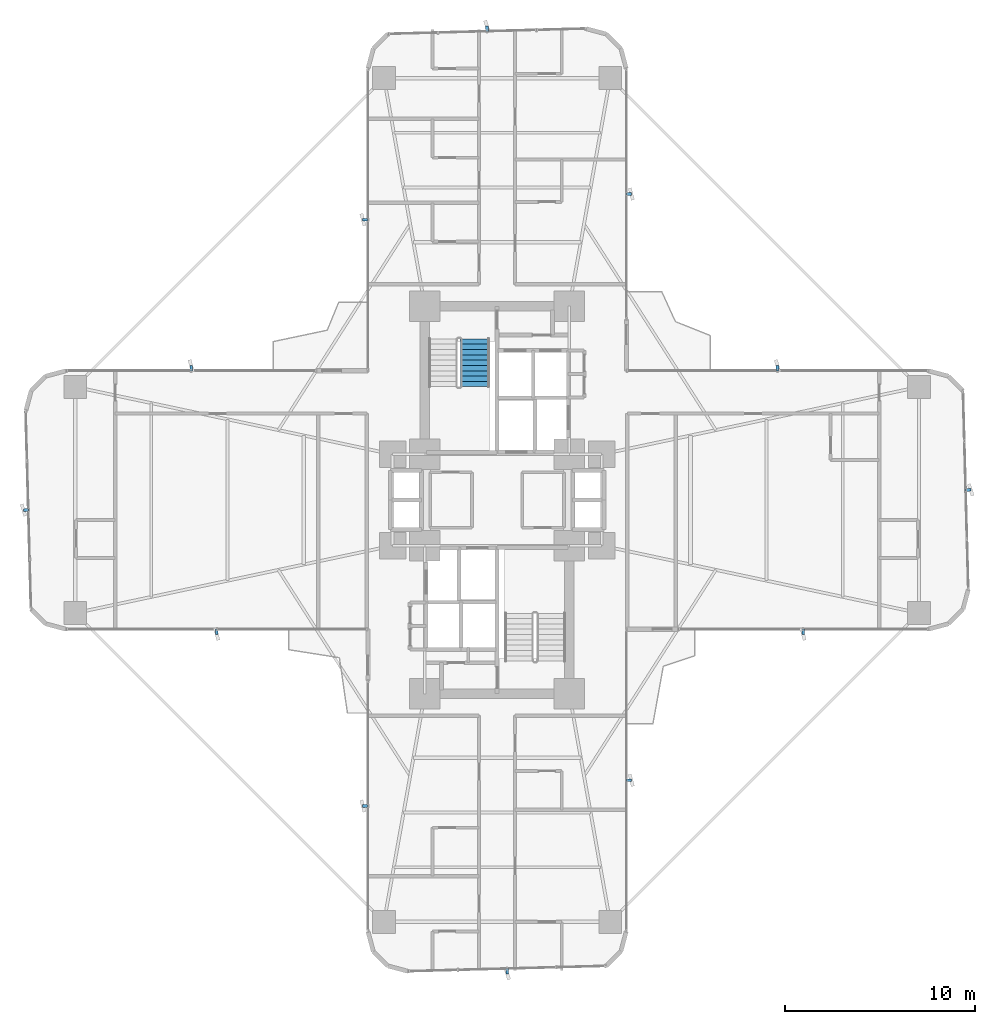
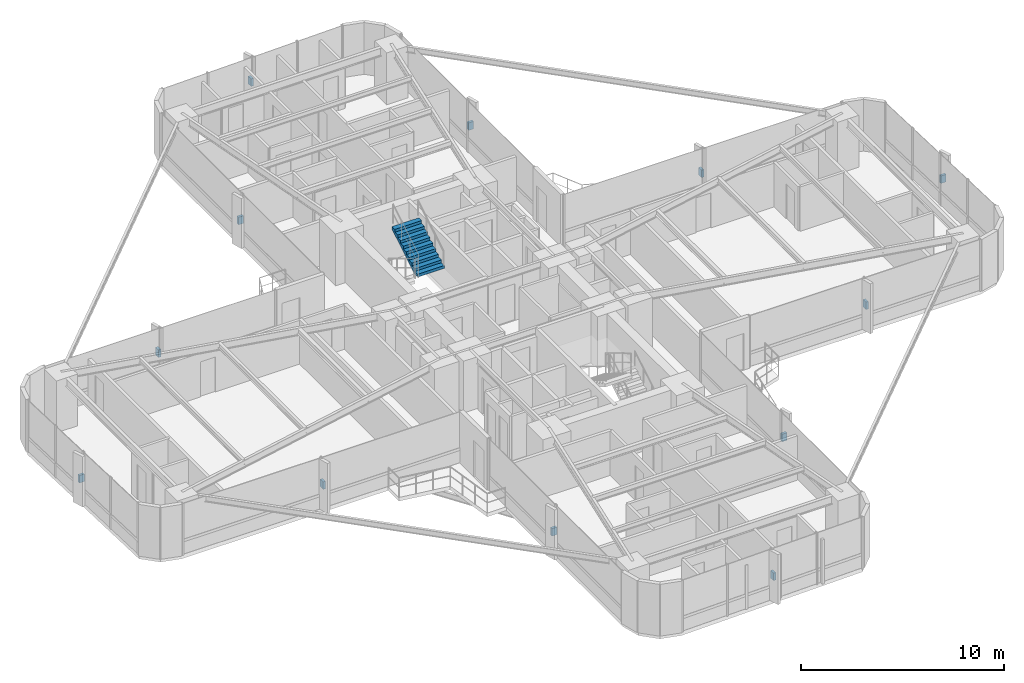
# One storey, part 25 of 26: 12 discrete accessories, 1 stair flight, 1 element without a shape of its own.
"""IFC4 building model written with IfcOpenShell, lengths in metres."""

from ifc_helpers import new_model, si_unit, direction, frame, origin, origin_2d, place, context, subcontext, project, spatial, polyline, rectangle, outline, extrude, source, transform, mapped, material, type_object, element, aggregate, save


model = new_model("IFC4")

# Units and contexts
model_context = context("Model", 3, precision=1e-05, world=origin(), true_north=direction((0.0, 1.0)))
body_context = subcontext(model_context, "Body", "Model", "MODEL_VIEW")
ifc_project = project(units=[si_unit("LENGTHUNIT", "METRE"), si_unit("AREAUNIT", "SQUARE_METRE"), si_unit("VOLUMEUNIT", "CUBIC_METRE"), si_unit("PLANEANGLEUNIT", "RADIAN"), si_unit("MASSUNIT", "GRAM", prefix="KILO")], contexts=[model_context])

# Site, building, storey
site_placement = place(None, origin())
site = spatial("IfcSite", under=ifc_project, at=site_placement, CompositionType="ELEMENT")
building_placement = place(site_placement, origin())
building = spatial("IfcBuilding", under=site, at=building_placement, Name="Sahyath Konkavel Grand Hotel", CompositionType="ELEMENT")
storey_placement = place(building_placement, frame((0.0, 0.0, 61.10009765625)))
storey = spatial("IfcBuildingStorey", under=building, at=storey_placement, Name="L16", CompositionType="ELEMENT", Elevation=61.10009765625)

# Stair, stair flight
ifc_material_1 = material(Name="Concrete C40/50", Category="concrete")
stair_type = type_object("IfcStairType", Name="STR-ST16-335", PredefinedType="HALF_TURN_STAIR", material=ifc_material_1)
stair_placement = place(storey_placement, origin())
stair = element("IfcStair", 1, at=stair_placement, inside=storey, type_object=stair_type, Name="L16 North Core Smokeproof Exit Stair ST-1", PredefinedType="HALF_TURN_STAIR")
stair_flight_type = type_object("IfcStairFlightType", Name="STF-ST16-335", PredefinedType="STRAIGHT", material=ifc_material_1)
stair_flight_placement = place(storey_placement, frame((-1.159912109375, 5.9599609375, 1.6748046875), z_axis=(0.0, 0.0, 1.0), x_axis=(0.0, 1.0, 0.0)))
stair_flight = element("IfcStairFlight", 2, at=stair_flight_placement, type_object=stair_flight_type, Name="ST-1 flight 2", NumberOfRisers=10, NumberOfTreads=9, PredefinedType="STRAIGHT", RiserHeight=0.1675, TreadLength=0.28, context=body_context, shape_type="SweptSolid", body=[
    extrude(outline(polyline([(0.0, 0.0), (0.0, 0.16748046875), (0.280029296875, 0.16748046875), (0.280029296875, 0.3349609375), (0.56005859375, 0.3349609375), (0.56005859375, 0.50244140625), (0.840087890625, 0.50244140625), (0.840087890625, 0.669921875), (1.1201171875, 0.669921875), (1.1201171875, 0.83740234375), (1.39990234375, 0.83740234375), (1.39990234375, 1.0048828125), (1.679931640625, 1.0048828125), (1.679931640625, 1.172607421875), (1.9599609375, 1.172607421875), (1.9599609375, 1.340087890625), (2.239990234375, 1.340087890625), (2.239990234375, 1.507568359375), (2.52001953125, 1.507568359375), (2.52001953125, 1.675048828125), (2.52001953125, 1.332763671875), (0.2919921875, 0.0), (0.0, 0.0)])), frame((0.0, 0.760009765625, 0.0), z_axis=(0.0, -1.0, 0.0), x_axis=(1.0, 0.0, 0.0)), (0.0, 0.0, 1.0), 1.52001953125),
])
aggregate(stair, [stair_flight])

# Discrete accessories
ifc_material_2 = material(Name="Steel E350", Category="steel")
discrete_accessory_type = type_object("IfcDiscreteAccessoryType", Name="ACC-FIN-BRACKET", PredefinedType="BRACKET", material=ifc_material_2)
shared_shape = source(origin(), body_context, "Body", "SweptSolid", [
    extrude(rectangle(XDim=0.280029296875, YDim=0.139892578125, at=origin_2d()), origin(), (0.0, 0.0, 1.0), 0.449951171875),
])
for number, where, z_axis, x_axis, name in (
    (3, (16.10009765625, -6.929931640625, 1.330078125), (0.0, 0.0, 1.0), (0.0, -1.0, 0.0), "L16 Fin Support Bracket F0-1"),
    (4, (24.789306640625, 0.528564453125, 1.330078125), (0.0, 0.0, 1.0), (0.999637867691, 0.026909728301, 0.0), "L16 Fin Support Bracket F4-2"),
    (5, (14.75, 6.929931640625, 1.330078125), (0.0, 0.0, 1.0), (0.0, 1.0, 0.0), "L16 Fin Support Bracket F7-1"),
    (6, (6.929931640625, 16.10009765625, 1.330078125), (0.0, 0.0, 1.0), (1.0, 0.0, 0.0), "L16 Fin Support Bracket F8-1"),
    (7, (-0.528564453125, 24.789306640625, 1.330078125), (0.0, 0.0, 1.0), (-0.026909728301, 0.999637867691, 0.0), "L16 Fin Support Bracket F12-2"),
    (8, (-6.929931640625, 14.75, 1.330078125), (0.0, 0.0, 1.0), (-1.0, 0.0, 0.0), "L16 Fin Support Bracket F15-1"),
    (9, (-16.10009765625, 6.929931640625, 1.330078125), (0.0, 0.0, 1.0), (0.0, 1.0, 0.0), "L16 Fin Support Bracket F16-1"),
    (10, (-24.789306640625, -0.528564453125, 1.330078125), (0.0, 0.0, 1.0), (-0.999637867691, -0.026909728301, 0.0), "L16 Fin Support Bracket F20-2"),
    (11, (-14.75, -6.929931640625, 1.330078125), (0.0, 0.0, 1.0), (0.0, -1.0, 0.0), "L16 Fin Support Bracket F23-1"),
    (12, (-6.929931640625, -16.10009765625, 1.330078125), (0.0, 0.0, 1.0), (-1.0, 0.0, 0.0), "L16 Fin Support Bracket F24-1"),
    (13, (0.528564453125, -24.789306640625, 1.330078125), (0.0, 0.0, 1.0), (0.026909728301, -0.999637867691, 0.0), "L16 Fin Support Bracket F28-2"),
    (14, (6.929931640625, -14.75, 1.330078125), (0.0, 0.0, 1.0), (1.0, 0.0, 0.0), "L16 Fin Support Bracket F31-1"),
):
    element("IfcDiscreteAccessory", number, at=place(storey_placement, frame(where, z_axis=z_axis, x_axis=x_axis)), inside=storey, type_object=discrete_accessory_type, Name=name, PredefinedType="BRACKET", context=body_context, shape_type="MappedRepresentation", body=[
        mapped(shared_shape, transform((0.0, 0.0, 0.0), scale=1.0)),
    ])

save(model, "model.ifc")
